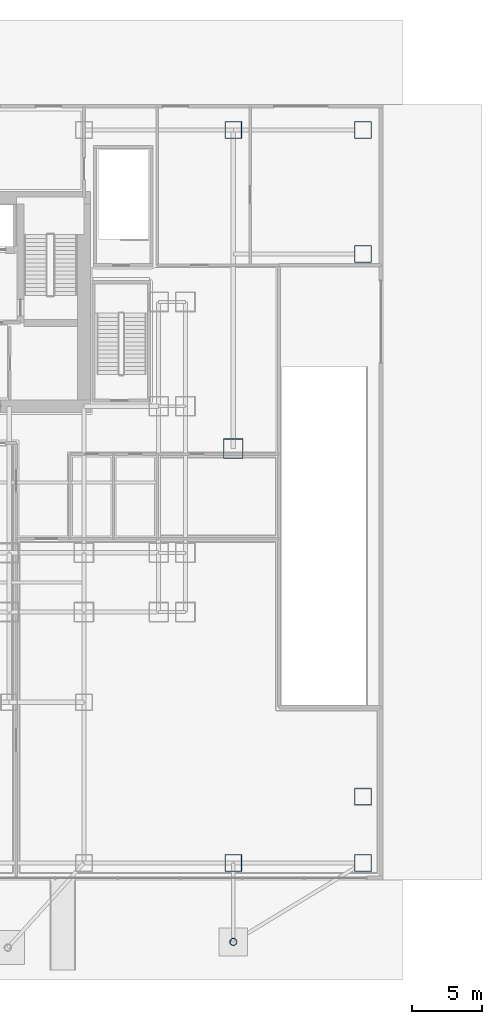
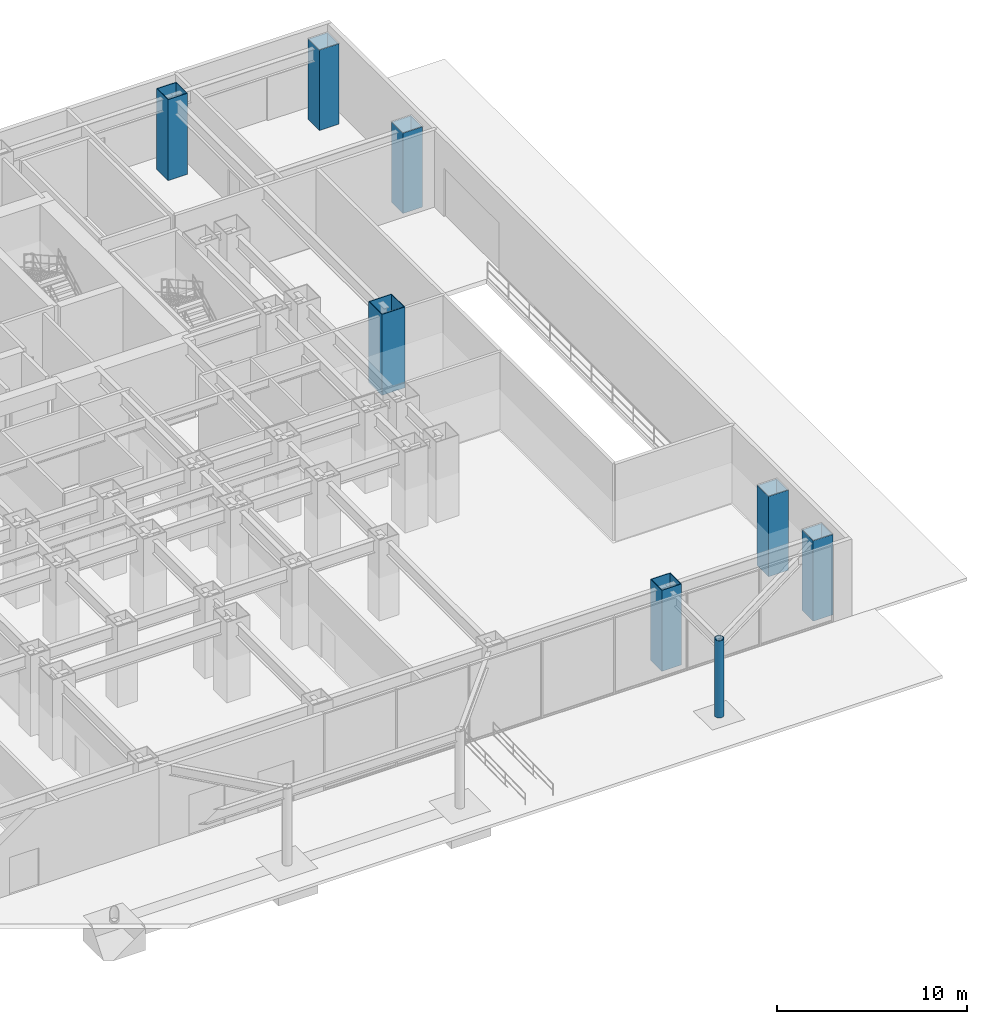
# One storey, part 4 of 18: 8 columns.
"""IFC4 building model written with IfcOpenShell, lengths in metres."""

from ifc_helpers import new_model, si_unit, direction, frame, origin, origin_2d, place, context, subcontext, project, spatial, hollow_rectangle, hollow_circle, extrude, material, material_profile, profile_set, type_object, element, save


model = new_model("IFC4")

# Units and contexts
model_context = context("Model", 3, precision=1e-05, world=origin(), true_north=direction((0.0, 1.0)))
body_context = subcontext(model_context, "Body", "Model", "MODEL_VIEW")
ifc_project = project(units=[si_unit("LENGTHUNIT", "METRE"), si_unit("AREAUNIT", "SQUARE_METRE"), si_unit("VOLUMEUNIT", "CUBIC_METRE"), si_unit("PLANEANGLEUNIT", "RADIAN"), si_unit("MASSUNIT", "GRAM", prefix="KILO")], contexts=[model_context])

# Site, building, storey
site_placement = place(None, origin())
site = spatial("IfcSite", under=ifc_project, at=site_placement, CompositionType="ELEMENT")
building_placement = place(site_placement, origin())
building = spatial("IfcBuilding", under=site, at=building_placement, Name="Qianlan Lanfeng Residences", CompositionType="ELEMENT")
storey_placement = place(building_placement, origin())
storey = spatial("IfcBuildingStorey", under=building, at=storey_placement, Name="L00", CompositionType="ELEMENT", Elevation=0.0)

# Columns
ifc_material_1 = material(Name="Steel SM570 (420 MPa)", Category="steel")
ifc_material_profile_1 = material_profile(ifc_material_1, hollow_rectangle(XDim=1.39990234375, YDim=1.39990234375, WallThickness=0.044921875, at=origin_2d()), Name="BOX 1400x1400x45")
ifc_profile_set_1 = profile_set([ifc_material_profile_1], Name="Steel SM570 (420 MPa)")
column_type_1 = type_object("IfcColumnType", Name="C-B1600", PredefinedType="COLUMN", material=ifc_profile_set_1)
column_1_placement = place(storey_placement, frame((53.0, 22.199951171875, 0.0), z_axis=(0.0, 0.0, 1.0), x_axis=(1.0, 0.0, 0.0)))
element("IfcColumn", 1, at=column_1_placement, inside=storey, type_object=column_type_1, Name="L00 Structural Column P_+53.0_+22.2", PredefinedType="COLUMN", context=body_context, shape_type="SweptSolid", body=[
    extrude(hollow_rectangle(XDim=1.39990234375, YDim=1.39990234375, WallThickness=0.044921875, at=origin_2d()), origin(), (0.0, 0.0, 1.0), 5.199951171875),
])
ifc_material_profile_2 = material_profile(ifc_material_1, hollow_rectangle(XDim=1.199951171875, YDim=1.199951171875, WallThickness=0.0400390625, at=origin_2d()), Name="BOX 1200x1200x40")
ifc_profile_set_2 = profile_set([ifc_material_profile_2], Name="Steel SM570 (420 MPa)")
column_type_2 = type_object("IfcColumnType", Name="CE-B1400", PredefinedType="COLUMN", material=ifc_profile_set_2)
column_2_placement = place(storey_placement, frame((53.0, -7.199951171875, 0.0), z_axis=(0.0, 0.0, 1.0), x_axis=(1.0, 0.0, 0.0)))
element("IfcColumn", 2, at=column_2_placement, inside=storey, type_object=column_type_2, Name="L00 Structural Column P_+53.0_-7.2", PredefinedType="COLUMN", context=body_context, shape_type="SweptSolid", body=[
    extrude(hollow_rectangle(XDim=1.199951171875, YDim=1.199951171875, WallThickness=0.0400390625, at=origin_2d()), origin(), (0.0, 0.0, 1.0), 5.199951171875),
])
column_3_placement = place(storey_placement, frame((62.199951171875, -7.199951171875, 0.0), z_axis=(0.0, 0.0, 1.0), x_axis=(1.0, 0.0, 0.0)))
element("IfcColumn", 3, at=column_3_placement, inside=storey, type_object=column_type_2, Name="L00 Structural Column P_+62.2_-7.2", PredefinedType="COLUMN", context=body_context, shape_type="SweptSolid", body=[
    extrude(hollow_rectangle(XDim=1.199951171875, YDim=1.199951171875, WallThickness=0.0400390625, at=origin_2d()), origin(), (0.0, 0.0, 1.0), 5.1640625),
])
column_4_placement = place(storey_placement, frame((53.0, 44.800048828125, 0.0), z_axis=(0.0, 0.0, 1.0), x_axis=(1.0, 0.0, 0.0)))
element("IfcColumn", 4, at=column_4_placement, inside=storey, type_object=column_type_2, Name="L00 Structural Column P_+53.0_+44.8", PredefinedType="COLUMN", context=body_context, shape_type="SweptSolid", body=[
    extrude(hollow_rectangle(XDim=1.199951171875, YDim=1.199951171875, WallThickness=0.0400390625, at=origin_2d()), origin(), (0.0, 0.0, 1.0), 5.199951171875),
])
for number, where, z_axis, x_axis, name in (
    (5, (62.199951171875, 44.800048828125, 0.0), (0.0, 0.0, 1.0), (1.0, 0.0, 0.0), "L00 Structural Column P_+62.2_+44.8"),
    (6, (62.199951171875, -2.5, 0.0), (0.0, 0.0, 1.0), (1.0, 0.0, 0.0), "L00 Structural Column P_+62.2_-2.5"),
    (7, (62.199951171875, 36.0, 0.0), (0.0, 0.0, 1.0), (1.0, 0.0, 0.0), "L00 Structural Column P_+62.2_+36.0"),
):
    element("IfcColumn", number, at=place(storey_placement, frame(where, z_axis=z_axis, x_axis=x_axis)), inside=storey, type_object=column_type_2, Name=name, PredefinedType="COLUMN", context=body_context, shape_type="SweptSolid", body=[
        extrude(hollow_rectangle(XDim=1.199951171875, YDim=1.199951171875, WallThickness=0.0400390625, at=origin_2d()), origin(), (0.0, 0.0, 1.0), 5.1640625),
    ])
ifc_material_2 = material(Name="Steel SN490B", Category="steel")
ifc_material_profile_3 = material_profile(ifc_material_2, hollow_circle(Radius=0.25390625, WallThickness=0.02197265625, at=origin_2d()), Name="CHS 508x22")
ifc_profile_set_3 = profile_set([ifc_material_profile_3], Name="Steel SN490B")
column_type_3 = type_object("IfcColumnType", Name="CE-P508", PredefinedType="COLUMN", material=ifc_profile_set_3)
column_5_placement = place(storey_placement, frame((53.0, -12.800048828125, 0.0), z_axis=(0.0, 0.0, 1.0), x_axis=(1.0, 0.0, 0.0)))
element("IfcColumn", 8, at=column_5_placement, inside=storey, type_object=column_type_3, Name="L00 Entrance Canopy Column PLZ-E2", PredefinedType="COLUMN", context=body_context, shape_type="SweptSolid", body=[
    extrude(hollow_circle(Radius=0.25390625, WallThickness=0.02197265625, at=origin_2d()), origin(), (0.0, 0.0, 1.0), 4.9599609375),
])

save(model, "model.ifc")
